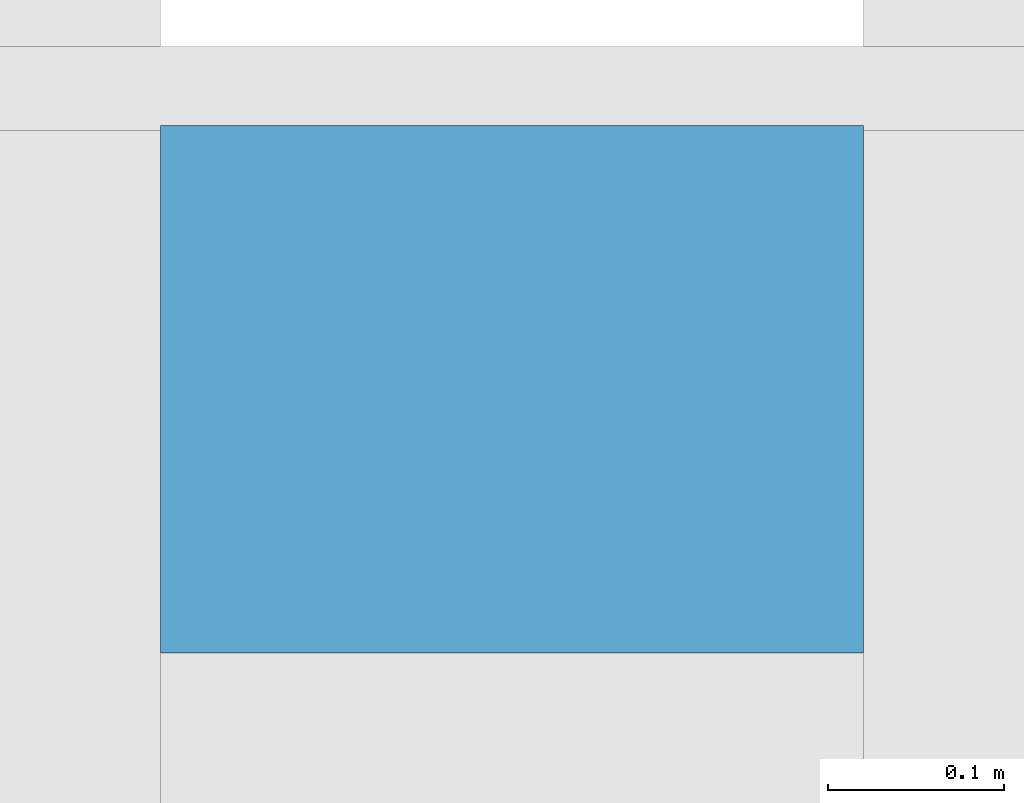
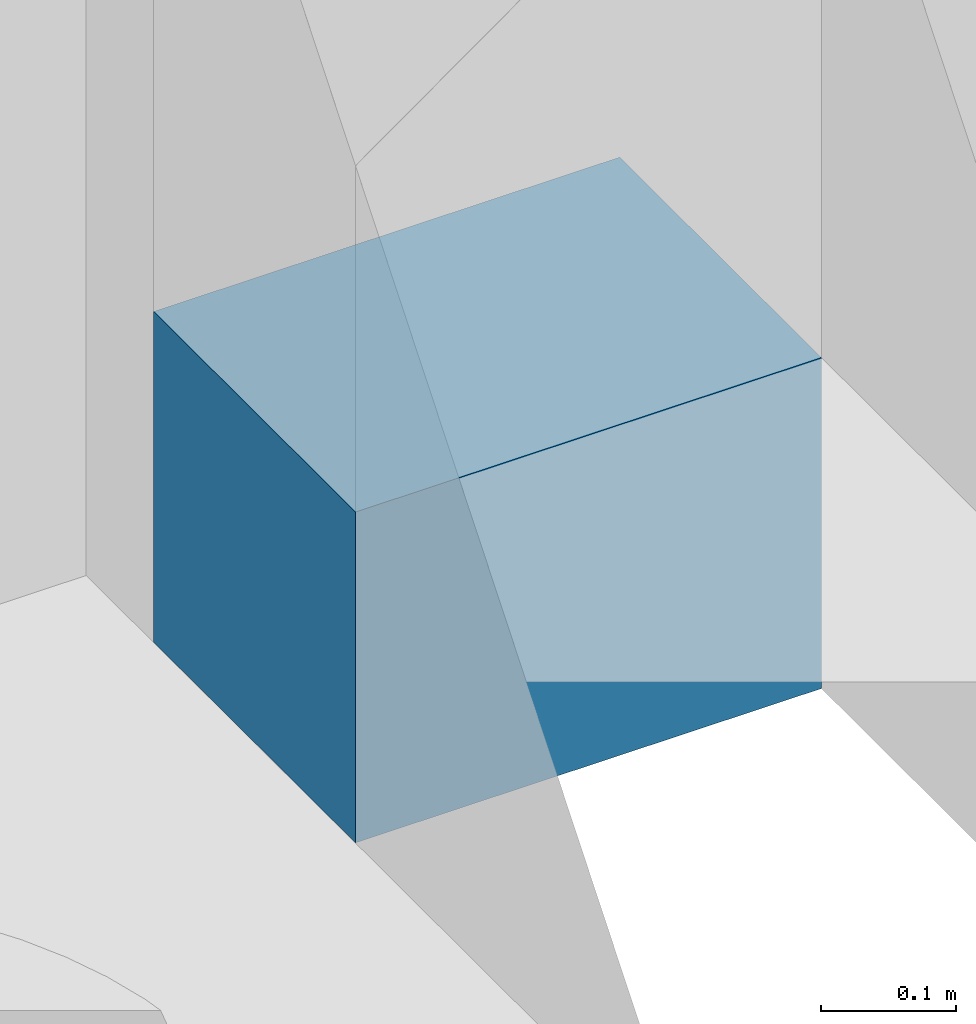
# One storey, part 12 of 129: 1 footing.
"""IFC4 building model written with IfcOpenShell, lengths in metres."""

from ifc_helpers import new_model, si_unit, direction, frame, origin, origin_2d, place, context, subcontext, project, spatial, rectangle, extrude, material, type_object, element, save


model = new_model("IFC4")

# Units and contexts
model_context = context("Model", 3, precision=1e-05, world=origin(), true_north=direction((0.0, 1.0)))
body_context = subcontext(model_context, "Body", "Model", "MODEL_VIEW")
ifc_project = project(units=[si_unit("LENGTHUNIT", "METRE"), si_unit("AREAUNIT", "SQUARE_METRE"), si_unit("VOLUMEUNIT", "CUBIC_METRE"), si_unit("PLANEANGLEUNIT", "RADIAN"), si_unit("MASSUNIT", "GRAM", prefix="KILO")], contexts=[model_context])

# Site, building, storey
site_placement = place(None, origin())
site = spatial("IfcSite", under=ifc_project, at=site_placement, CompositionType="ELEMENT")
building_placement = place(site_placement, origin())
building = spatial("IfcBuilding", under=site, at=building_placement, Name="Kiln Court Media Centre", CompositionType="ELEMENT")
storey_placement = place(building_placement, origin())
storey = spatial("IfcBuildingStorey", under=building, at=storey_placement, Name="L00", CompositionType="ELEMENT", Elevation=0.0)

# Footing
ifc_material = material(Name="Concrete C30/37", Category="concrete")
footing_type = type_object("IfcFootingType", Name="Concrete C30/37 wall footing 300x300", PredefinedType="STRIP_FOOTING", material=ifc_material)
footing_placement = place(storey_placement, frame((132.300048828125, 70.64990234375, -1.5), z_axis=(0.0, 0.0, 1.0), x_axis=(1.0, 0.0, 0.0)))
element("IfcFooting", 1, at=footing_placement, inside=storey, type_object=footing_type, Name="L00-FT-1493", PredefinedType="STRIP_FOOTING", context=body_context, shape_type="SweptSolid", body=[
    extrude(rectangle(XDim=0.39990234375, YDim=0.300048828125, at=origin_2d()), origin(), (0.0, 0.0, 1.0), 0.300048828125),
])

save(model, "model.ifc")
